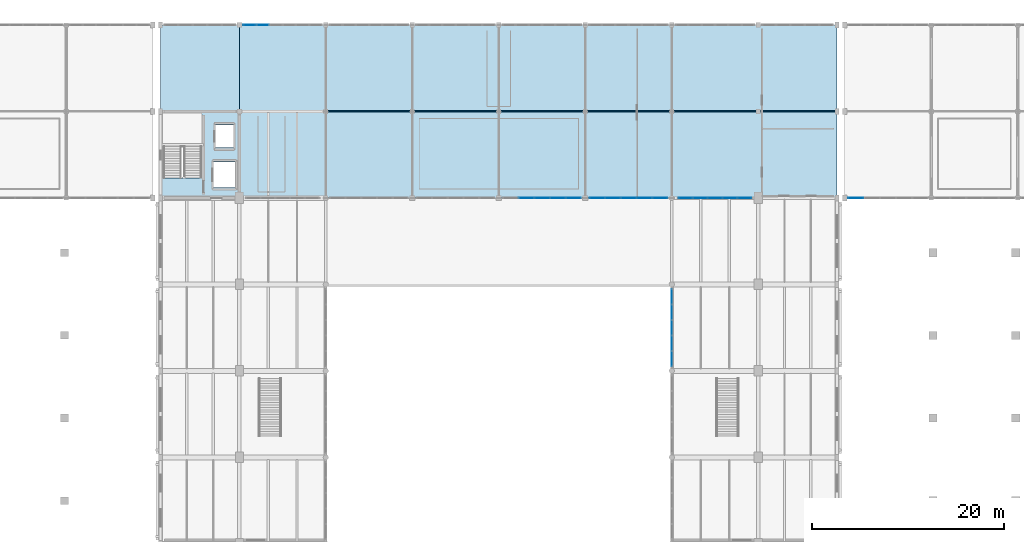
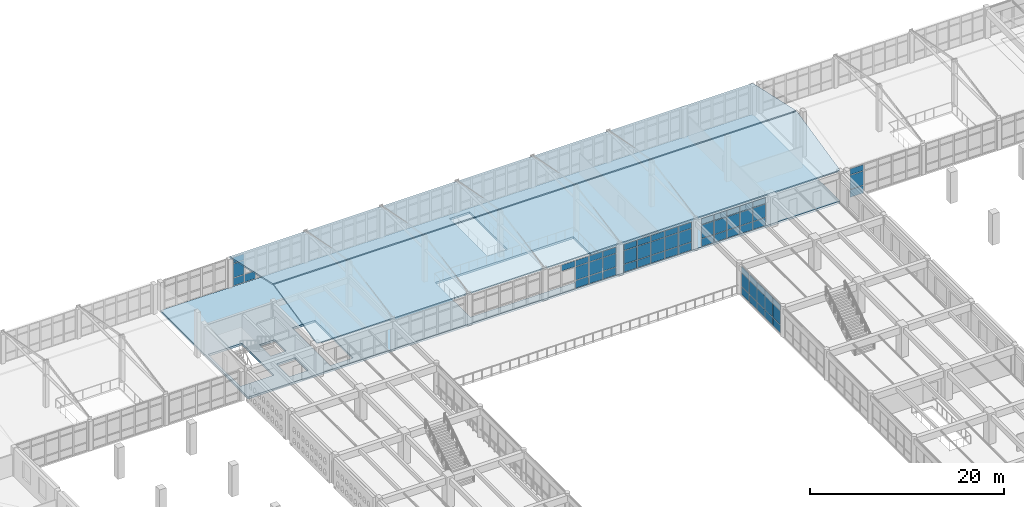
# One storey, part 116 of 156: 62 plates, 3 slabs, 6 elements without a shape of their own.
"""IFC4 building model written with IfcOpenShell, lengths in metres."""

from ifc_helpers import new_model, si_unit, direction, frame, origin, origin_2d, place, context, subcontext, project, spatial, polyline, rectangle, outline, extrude, material, layer, layer_set, type_object, element, aggregate, save


model = new_model("IFC4")

# Units and contexts
model_context = context("Model", 3, precision=1e-05, world=origin(), true_north=direction((0.0, 1.0)))
body_context = subcontext(model_context, "Body", "Model", "MODEL_VIEW")
ifc_project = project(units=[si_unit("LENGTHUNIT", "METRE"), si_unit("AREAUNIT", "SQUARE_METRE"), si_unit("VOLUMEUNIT", "CUBIC_METRE"), si_unit("PLANEANGLEUNIT", "RADIAN"), si_unit("MASSUNIT", "GRAM", prefix="KILO")], contexts=[model_context])

# Site, building, storey
site_placement = place(None, origin())
site = spatial("IfcSite", under=ifc_project, at=site_placement, CompositionType="ELEMENT")
building_placement = place(site_placement, origin())
building = spatial("IfcBuilding", under=site, at=building_placement, Name="Ornek Quay Market", CompositionType="ELEMENT")
storey_placement = place(building_placement, frame((0.0, 0.0, 4.5)))
storey = spatial("IfcBuildingStorey", under=building, at=storey_placement, Name="L01", CompositionType="ELEMENT", Elevation=4.5)

# Curtain wall, plates
ifc_material_1 = material(Name="Anodised bronze aluminium and triple low-e glass", Category="aluminium")
ifc_layer_1 = layer(ifc_material_1, 0.139892578125, Name="Anodised bronze aluminium and triple low-e glass", Category="aluminium")
ifc_layer_set_1 = layer_set([ifc_layer_1], Name="Anodised bronze aluminium and triple low-e glass")
curtain_wall_type_1 = type_object("IfcCurtainWallType", Name="CW-GALLERY-INT", PredefinedType="USERDEFINED", material=ifc_layer_set_1)
curtain_wall_1_placement = place(storey_placement, origin())
curtain_wall_1 = element("IfcCurtainWall", 1, at=curtain_wall_1_placement, inside=storey, type_object=curtain_wall_type_1, Name="Curtain wall CW-108", ObjectType="CURTAIN WALL", PredefinedType="USERDEFINED")
ifc_material_2 = material(Name="Toughened laminated acoustic glass", Category="glass")
ifc_layer_2 = layer(ifc_material_2, 0.01611328125, Name="Toughened laminated acoustic glass", Category="glass")
ifc_layer_set_2 = layer_set([ifc_layer_2], Name="Toughened laminated acoustic glass")
plate_type_1 = type_object("IfcPlateType", Name="PL-CW-INT-16", PredefinedType="CURTAIN_PANEL", material=ifc_layer_set_2)
plate_1_placement = place(storey_placement, frame((108.0, 75.27490234375, 0.06005859375), z_axis=(0.0, 0.0, 1.0), x_axis=(0.0, 1.0, 0.0)))
plate_1 = element("IfcPlate", 2, at=plate_1_placement, type_object=plate_type_1, Name="CW-108 panel 1.1", PredefinedType="CURTAIN_PANEL", context=body_context, shape_type="SweptSolid", body=[
    extrude(rectangle(XDim=1.530029296875, YDim=0.01611328125, at=origin_2d()), origin(), (0.0, 0.0, 1.0), 0.9599609375),
])
plate_2_placement = place(storey_placement, frame((108.0, 75.27490234375, 1.080078125), z_axis=(0.0, 0.0, 1.0), x_axis=(0.0, 1.0, 0.0)))
plate_2 = element("IfcPlate", 3, at=plate_2_placement, type_object=plate_type_1, Name="CW-108 panel 1.2", PredefinedType="CURTAIN_PANEL", context=body_context, shape_type="SweptSolid", body=[
    extrude(rectangle(XDim=1.530029296875, YDim=0.01611328125, at=origin_2d()), origin(), (0.0, 0.0, 1.0), 1.699951171875),
])
plate_3_placement = place(storey_placement, frame((108.0, 75.27490234375, 2.83984375), z_axis=(0.0, 0.0, 1.0), x_axis=(0.0, 1.0, 0.0)))
plate_3 = element("IfcPlate", 4, at=plate_3_placement, type_object=plate_type_1, Name="CW-108 panel 1.3", PredefinedType="CURTAIN_PANEL", context=body_context, shape_type="SweptSolid", body=[
    extrude(rectangle(XDim=1.530029296875, YDim=0.01611328125, at=origin_2d()), origin(), (0.0, 0.0, 1.0), 0.760009765625),
])
plate_4_placement = place(storey_placement, frame((108.0, 76.8798828125, 0.06005859375), z_axis=(0.0, 0.0, 1.0), x_axis=(0.0, 1.0, 0.0)))
plate_4 = element("IfcPlate", 5, at=plate_4_placement, type_object=plate_type_1, Name="CW-108 panel 2.1", PredefinedType="CURTAIN_PANEL", context=body_context, shape_type="SweptSolid", body=[
    extrude(rectangle(XDim=1.56005859375, YDim=0.01611328125, at=origin_2d()), origin(), (0.0, 0.0, 1.0), 0.9599609375),
])
plate_5_placement = place(storey_placement, frame((108.0, 76.8798828125, 1.080078125), z_axis=(0.0, 0.0, 1.0), x_axis=(0.0, 1.0, 0.0)))
plate_5 = element("IfcPlate", 6, at=plate_5_placement, type_object=plate_type_1, Name="CW-108 panel 2.2", PredefinedType="CURTAIN_PANEL", context=body_context, shape_type="SweptSolid", body=[
    extrude(rectangle(XDim=1.56005859375, YDim=0.01611328125, at=origin_2d()), origin(), (0.0, 0.0, 1.0), 1.699951171875),
])
plate_6_placement = place(storey_placement, frame((108.0, 76.8798828125, 2.83984375), z_axis=(0.0, 0.0, 1.0), x_axis=(0.0, 1.0, 0.0)))
plate_6 = element("IfcPlate", 7, at=plate_6_placement, type_object=plate_type_1, Name="CW-108 panel 2.3", PredefinedType="CURTAIN_PANEL", context=body_context, shape_type="SweptSolid", body=[
    extrude(rectangle(XDim=1.56005859375, YDim=0.01611328125, at=origin_2d()), origin(), (0.0, 0.0, 1.0), 0.760009765625),
])
plate_7_placement = place(storey_placement, frame((108.0, 78.5, 0.06005859375), z_axis=(0.0, 0.0, 1.0), x_axis=(0.0, 1.0, 0.0)))
plate_7 = element("IfcPlate", 8, at=plate_7_placement, type_object=plate_type_1, Name="CW-108 panel 3.1", PredefinedType="CURTAIN_PANEL", context=body_context, shape_type="SweptSolid", body=[
    extrude(rectangle(XDim=1.56005859375, YDim=0.01611328125, at=origin_2d()), origin(), (0.0, 0.0, 1.0), 0.9599609375),
])
plate_8_placement = place(storey_placement, frame((108.0, 78.5, 1.080078125), z_axis=(0.0, 0.0, 1.0), x_axis=(0.0, 1.0, 0.0)))
plate_8 = element("IfcPlate", 9, at=plate_8_placement, type_object=plate_type_1, Name="CW-108 panel 3.2", PredefinedType="CURTAIN_PANEL", context=body_context, shape_type="SweptSolid", body=[
    extrude(rectangle(XDim=1.56005859375, YDim=0.01611328125, at=origin_2d()), origin(), (0.0, 0.0, 1.0), 1.699951171875),
])
plate_9_placement = place(storey_placement, frame((108.0, 78.5, 2.83984375), z_axis=(0.0, 0.0, 1.0), x_axis=(0.0, 1.0, 0.0)))
plate_9 = element("IfcPlate", 10, at=plate_9_placement, type_object=plate_type_1, Name="CW-108 panel 3.3", PredefinedType="CURTAIN_PANEL", context=body_context, shape_type="SweptSolid", body=[
    extrude(rectangle(XDim=1.56005859375, YDim=0.01611328125, at=origin_2d()), origin(), (0.0, 0.0, 1.0), 0.760009765625),
])
plate_10_placement = place(storey_placement, frame((108.0, 80.1201171875, 0.06005859375), z_axis=(0.0, 0.0, 1.0), x_axis=(0.0, 1.0, 0.0)))
plate_10 = element("IfcPlate", 11, at=plate_10_placement, type_object=plate_type_1, Name="CW-108 panel 4.1", PredefinedType="CURTAIN_PANEL", context=body_context, shape_type="SweptSolid", body=[
    extrude(rectangle(XDim=1.56005859375, YDim=0.01611328125, at=origin_2d()), origin(), (0.0, 0.0, 1.0), 0.9599609375),
])
plate_11_placement = place(storey_placement, frame((108.0, 80.1201171875, 1.080078125), z_axis=(0.0, 0.0, 1.0), x_axis=(0.0, 1.0, 0.0)))
plate_11 = element("IfcPlate", 12, at=plate_11_placement, type_object=plate_type_1, Name="CW-108 panel 4.2", PredefinedType="CURTAIN_PANEL", context=body_context, shape_type="SweptSolid", body=[
    extrude(rectangle(XDim=1.56005859375, YDim=0.01611328125, at=origin_2d()), origin(), (0.0, 0.0, 1.0), 1.699951171875),
])
plate_12_placement = place(storey_placement, frame((108.0, 80.1201171875, 2.83984375), z_axis=(0.0, 0.0, 1.0), x_axis=(0.0, 1.0, 0.0)))
plate_12 = element("IfcPlate", 13, at=plate_12_placement, type_object=plate_type_1, Name="CW-108 panel 4.3", PredefinedType="CURTAIN_PANEL", context=body_context, shape_type="SweptSolid", body=[
    extrude(rectangle(XDim=1.56005859375, YDim=0.01611328125, at=origin_2d()), origin(), (0.0, 0.0, 1.0), 0.760009765625),
])
plate_13_placement = place(storey_placement, frame((108.0, 81.72509765625, 0.06005859375), z_axis=(0.0, 0.0, 1.0), x_axis=(0.0, 1.0, 0.0)))
plate_13 = element("IfcPlate", 14, at=plate_13_placement, type_object=plate_type_1, Name="CW-108 panel 5.1", PredefinedType="CURTAIN_PANEL", context=body_context, shape_type="SweptSolid", body=[
    extrude(rectangle(XDim=1.530029296875, YDim=0.01611328125, at=origin_2d()), origin(), (0.0, 0.0, 1.0), 0.9599609375),
])
plate_14_placement = place(storey_placement, frame((108.0, 81.72509765625, 1.080078125), z_axis=(0.0, 0.0, 1.0), x_axis=(0.0, 1.0, 0.0)))
plate_14 = element("IfcPlate", 15, at=plate_14_placement, type_object=plate_type_1, Name="CW-108 panel 5.2", PredefinedType="CURTAIN_PANEL", context=body_context, shape_type="SweptSolid", body=[
    extrude(rectangle(XDim=1.530029296875, YDim=0.01611328125, at=origin_2d()), origin(), (0.0, 0.0, 1.0), 1.699951171875),
])
plate_15_placement = place(storey_placement, frame((108.0, 81.72509765625, 2.83984375), z_axis=(0.0, 0.0, 1.0), x_axis=(0.0, 1.0, 0.0)))
plate_15 = element("IfcPlate", 16, at=plate_15_placement, type_object=plate_type_1, Name="CW-108 panel 5.3", PredefinedType="CURTAIN_PANEL", context=body_context, shape_type="SweptSolid", body=[
    extrude(rectangle(XDim=1.530029296875, YDim=0.01611328125, at=origin_2d()), origin(), (0.0, 0.0, 1.0), 0.760009765625),
])
aggregate(curtain_wall_1, [plate_1, plate_2, plate_3, plate_4, plate_5, plate_6, plate_7, plate_8, plate_9, plate_10, plate_11, plate_12, plate_13, plate_14, plate_15])

curtain_wall_2_placement = place(storey_placement, origin())
curtain_wall_2 = element("IfcCurtainWall", 17, at=curtain_wall_2_placement, inside=storey, type_object=curtain_wall_type_1, Name="Curtain wall CW-130", ObjectType="CURTAIN WALL", PredefinedType="USERDEFINED")
plate_16_placement = place(storey_placement, frame((92.860107421875, 92.0, 2.802490234375), z_axis=(0.0, 0.0, 1.0), x_axis=(1.0, 0.0, 0.0)))
plate_16 = element("IfcPlate", 18, at=plate_16_placement, type_object=plate_type_1, Name="CW-130 panel 2.3", PredefinedType="CURTAIN_PANEL", context=body_context, shape_type="SweptSolid", body=[
    extrude(rectangle(XDim=1.574951171875, YDim=0.01611328125, at=origin_2d()), origin(), (0.0, 0.0, 1.0), 0.75244140625),
])
plate_17_placement = place(storey_placement, frame((94.5, 92.0, 0.06494140625), z_axis=(0.0, 0.0, 1.0), x_axis=(1.0, 0.0, 0.0)))
plate_17 = element("IfcPlate", 19, at=plate_17_placement, type_object=plate_type_1, Name="CW-130 panel 3.1", PredefinedType="CURTAIN_PANEL", context=body_context, shape_type="SweptSolid", body=[
    extrude(rectangle(XDim=1.574951171875, YDim=0.01611328125, at=origin_2d()), origin(), (0.0, 0.0, 1.0), 0.952392578125),
])
plate_18_placement = place(storey_placement, frame((94.5, 92.0, 1.08251953125), z_axis=(0.0, 0.0, 1.0), x_axis=(1.0, 0.0, 0.0)))
plate_18 = element("IfcPlate", 20, at=plate_18_placement, type_object=plate_type_1, Name="CW-130 panel 3.2", PredefinedType="CURTAIN_PANEL", context=body_context, shape_type="SweptSolid", body=[
    extrude(rectangle(XDim=1.574951171875, YDim=0.01611328125, at=origin_2d()), origin(), (0.0, 0.0, 1.0), 1.655029296875),
])
plate_19_placement = place(storey_placement, frame((94.5, 92.0, 2.802490234375), z_axis=(0.0, 0.0, 1.0), x_axis=(1.0, 0.0, 0.0)))
plate_19 = element("IfcPlate", 21, at=plate_19_placement, type_object=plate_type_1, Name="CW-130 panel 3.3", PredefinedType="CURTAIN_PANEL", context=body_context, shape_type="SweptSolid", body=[
    extrude(rectangle(XDim=1.574951171875, YDim=0.01611328125, at=origin_2d()), origin(), (0.0, 0.0, 1.0), 0.75244140625),
])
plate_20_placement = place(storey_placement, frame((96.139892578125, 92.0, 0.06494140625), z_axis=(0.0, 0.0, 1.0), x_axis=(1.0, 0.0, 0.0)))
plate_20 = element("IfcPlate", 22, at=plate_20_placement, type_object=plate_type_1, Name="CW-130 panel 4.1", PredefinedType="CURTAIN_PANEL", context=body_context, shape_type="SweptSolid", body=[
    extrude(rectangle(XDim=1.574951171875, YDim=0.01611328125, at=origin_2d()), origin(), (0.0, 0.0, 1.0), 0.952392578125),
])
plate_21_placement = place(storey_placement, frame((96.139892578125, 92.0, 1.08251953125), z_axis=(0.0, 0.0, 1.0), x_axis=(1.0, 0.0, 0.0)))
plate_21 = element("IfcPlate", 23, at=plate_21_placement, type_object=plate_type_1, Name="CW-130 panel 4.2", PredefinedType="CURTAIN_PANEL", context=body_context, shape_type="SweptSolid", body=[
    extrude(rectangle(XDim=1.574951171875, YDim=0.01611328125, at=origin_2d()), origin(), (0.0, 0.0, 1.0), 1.655029296875),
])
plate_22_placement = place(storey_placement, frame((96.139892578125, 92.0, 2.802490234375), z_axis=(0.0, 0.0, 1.0), x_axis=(1.0, 0.0, 0.0)))
plate_22 = element("IfcPlate", 24, at=plate_22_placement, type_object=plate_type_1, Name="CW-130 panel 4.3", PredefinedType="CURTAIN_PANEL", context=body_context, shape_type="SweptSolid", body=[
    extrude(rectangle(XDim=1.574951171875, YDim=0.01611328125, at=origin_2d()), origin(), (0.0, 0.0, 1.0), 0.75244140625),
])
plate_23_placement = place(storey_placement, frame((97.763671875, 92.0, 0.06494140625), z_axis=(0.0, 0.0, 1.0), x_axis=(1.0, 0.0, 0.0)))
plate_23 = element("IfcPlate", 25, at=plate_23_placement, type_object=plate_type_1, Name="CW-130 panel 5.1", PredefinedType="CURTAIN_PANEL", context=body_context, shape_type="SweptSolid", body=[
    extrude(rectangle(XDim=1.54248046875, YDim=0.01611328125, at=origin_2d()), origin(), (0.0, 0.0, 1.0), 0.952392578125),
])
plate_24_placement = place(storey_placement, frame((97.763671875, 92.0, 1.08251953125), z_axis=(0.0, 0.0, 1.0), x_axis=(1.0, 0.0, 0.0)))
plate_24 = element("IfcPlate", 26, at=plate_24_placement, type_object=plate_type_1, Name="CW-130 panel 5.2", PredefinedType="CURTAIN_PANEL", context=body_context, shape_type="SweptSolid", body=[
    extrude(rectangle(XDim=1.54248046875, YDim=0.01611328125, at=origin_2d()), origin(), (0.0, 0.0, 1.0), 1.655029296875),
])
plate_25_placement = place(storey_placement, frame((97.763671875, 92.0, 2.802490234375), z_axis=(0.0, 0.0, 1.0), x_axis=(1.0, 0.0, 0.0)))
plate_25 = element("IfcPlate", 27, at=plate_25_placement, type_object=plate_type_1, Name="CW-130 panel 5.3", PredefinedType="CURTAIN_PANEL", context=body_context, shape_type="SweptSolid", body=[
    extrude(rectangle(XDim=1.54248046875, YDim=0.01611328125, at=origin_2d()), origin(), (0.0, 0.0, 1.0), 0.75244140625),
])
aggregate(curtain_wall_2, [plate_16, plate_17, plate_18, plate_19, plate_20, plate_21, plate_22, plate_23, plate_24, plate_25])

curtain_wall_3_placement = place(storey_placement, origin())
curtain_wall_3 = element("IfcCurtainWall", 28, at=curtain_wall_3_placement, inside=storey, type_object=curtain_wall_type_1, Name="Curtain wall CW-131", ObjectType="CURTAIN WALL", PredefinedType="USERDEFINED")
plate_26_placement = place(storey_placement, frame((100.236328125, 92.0, 0.06494140625), z_axis=(0.0, 0.0, 1.0), x_axis=(1.0, 0.0, 0.0)))
plate_26 = element("IfcPlate", 29, at=plate_26_placement, type_object=plate_type_1, Name="CW-131 panel 1.1", PredefinedType="CURTAIN_PANEL", context=body_context, shape_type="SweptSolid", body=[
    extrude(rectangle(XDim=1.54248046875, YDim=0.01611328125, at=origin_2d()), origin(), (0.0, 0.0, 1.0), 0.952392578125),
])
plate_27_placement = place(storey_placement, frame((100.236328125, 92.0, 1.08251953125), z_axis=(0.0, 0.0, 1.0), x_axis=(1.0, 0.0, 0.0)))
plate_27 = element("IfcPlate", 30, at=plate_27_placement, type_object=plate_type_1, Name="CW-131 panel 1.2", PredefinedType="CURTAIN_PANEL", context=body_context, shape_type="SweptSolid", body=[
    extrude(rectangle(XDim=1.54248046875, YDim=0.01611328125, at=origin_2d()), origin(), (0.0, 0.0, 1.0), 1.655029296875),
])
plate_28_placement = place(storey_placement, frame((100.236328125, 92.0, 2.802490234375), z_axis=(0.0, 0.0, 1.0), x_axis=(1.0, 0.0, 0.0)))
plate_28 = element("IfcPlate", 31, at=plate_28_placement, type_object=plate_type_1, Name="CW-131 panel 1.3", PredefinedType="CURTAIN_PANEL", context=body_context, shape_type="SweptSolid", body=[
    extrude(rectangle(XDim=1.54248046875, YDim=0.01611328125, at=origin_2d()), origin(), (0.0, 0.0, 1.0), 0.75244140625),
])
plate_29_placement = place(storey_placement, frame((101.860107421875, 92.0, 0.06494140625), z_axis=(0.0, 0.0, 1.0), x_axis=(1.0, 0.0, 0.0)))
plate_29 = element("IfcPlate", 32, at=plate_29_placement, type_object=plate_type_1, Name="CW-131 panel 2.1", PredefinedType="CURTAIN_PANEL", context=body_context, shape_type="SweptSolid", body=[
    extrude(rectangle(XDim=1.574951171875, YDim=0.01611328125, at=origin_2d()), origin(), (0.0, 0.0, 1.0), 0.952392578125),
])
plate_30_placement = place(storey_placement, frame((101.860107421875, 92.0, 1.08251953125), z_axis=(0.0, 0.0, 1.0), x_axis=(1.0, 0.0, 0.0)))
plate_30 = element("IfcPlate", 33, at=plate_30_placement, type_object=plate_type_1, Name="CW-131 panel 2.2", PredefinedType="CURTAIN_PANEL", context=body_context, shape_type="SweptSolid", body=[
    extrude(rectangle(XDim=1.574951171875, YDim=0.01611328125, at=origin_2d()), origin(), (0.0, 0.0, 1.0), 1.655029296875),
])
plate_31_placement = place(storey_placement, frame((101.860107421875, 92.0, 2.802490234375), z_axis=(0.0, 0.0, 1.0), x_axis=(1.0, 0.0, 0.0)))
plate_31 = element("IfcPlate", 34, at=plate_31_placement, type_object=plate_type_1, Name="CW-131 panel 2.3", PredefinedType="CURTAIN_PANEL", context=body_context, shape_type="SweptSolid", body=[
    extrude(rectangle(XDim=1.574951171875, YDim=0.01611328125, at=origin_2d()), origin(), (0.0, 0.0, 1.0), 0.75244140625),
])
plate_32_placement = place(storey_placement, frame((103.5, 92.0, 0.06494140625), z_axis=(0.0, 0.0, 1.0), x_axis=(1.0, 0.0, 0.0)))
plate_32 = element("IfcPlate", 35, at=plate_32_placement, type_object=plate_type_1, Name="CW-131 panel 3.1", PredefinedType="CURTAIN_PANEL", context=body_context, shape_type="SweptSolid", body=[
    extrude(rectangle(XDim=1.574951171875, YDim=0.01611328125, at=origin_2d()), origin(), (0.0, 0.0, 1.0), 0.952392578125),
])
plate_33_placement = place(storey_placement, frame((103.5, 92.0, 1.08251953125), z_axis=(0.0, 0.0, 1.0), x_axis=(1.0, 0.0, 0.0)))
plate_33 = element("IfcPlate", 36, at=plate_33_placement, type_object=plate_type_1, Name="CW-131 panel 3.2", PredefinedType="CURTAIN_PANEL", context=body_context, shape_type="SweptSolid", body=[
    extrude(rectangle(XDim=1.574951171875, YDim=0.01611328125, at=origin_2d()), origin(), (0.0, 0.0, 1.0), 1.655029296875),
])
plate_34_placement = place(storey_placement, frame((103.5, 92.0, 2.802490234375), z_axis=(0.0, 0.0, 1.0), x_axis=(1.0, 0.0, 0.0)))
plate_34 = element("IfcPlate", 37, at=plate_34_placement, type_object=plate_type_1, Name="CW-131 panel 3.3", PredefinedType="CURTAIN_PANEL", context=body_context, shape_type="SweptSolid", body=[
    extrude(rectangle(XDim=1.574951171875, YDim=0.01611328125, at=origin_2d()), origin(), (0.0, 0.0, 1.0), 0.75244140625),
])
plate_35_placement = place(storey_placement, frame((105.139892578125, 92.0, 0.06494140625), z_axis=(0.0, 0.0, 1.0), x_axis=(1.0, 0.0, 0.0)))
plate_35 = element("IfcPlate", 38, at=plate_35_placement, type_object=plate_type_1, Name="CW-131 panel 4.1", PredefinedType="CURTAIN_PANEL", context=body_context, shape_type="SweptSolid", body=[
    extrude(rectangle(XDim=1.574951171875, YDim=0.01611328125, at=origin_2d()), origin(), (0.0, 0.0, 1.0), 0.952392578125),
])
plate_36_placement = place(storey_placement, frame((105.139892578125, 92.0, 1.08251953125), z_axis=(0.0, 0.0, 1.0), x_axis=(1.0, 0.0, 0.0)))
plate_36 = element("IfcPlate", 39, at=plate_36_placement, type_object=plate_type_1, Name="CW-131 panel 4.2", PredefinedType="CURTAIN_PANEL", context=body_context, shape_type="SweptSolid", body=[
    extrude(rectangle(XDim=1.574951171875, YDim=0.01611328125, at=origin_2d()), origin(), (0.0, 0.0, 1.0), 1.655029296875),
])
plate_37_placement = place(storey_placement, frame((105.139892578125, 92.0, 2.802490234375), z_axis=(0.0, 0.0, 1.0), x_axis=(1.0, 0.0, 0.0)))
plate_37 = element("IfcPlate", 40, at=plate_37_placement, type_object=plate_type_1, Name="CW-131 panel 4.3", PredefinedType="CURTAIN_PANEL", context=body_context, shape_type="SweptSolid", body=[
    extrude(rectangle(XDim=1.574951171875, YDim=0.01611328125, at=origin_2d()), origin(), (0.0, 0.0, 1.0), 0.75244140625),
])
plate_38_placement = place(storey_placement, frame((106.763671875, 92.0, 0.06494140625), z_axis=(0.0, 0.0, 1.0), x_axis=(1.0, 0.0, 0.0)))
plate_38 = element("IfcPlate", 41, at=plate_38_placement, type_object=plate_type_1, Name="CW-131 panel 5.1", PredefinedType="CURTAIN_PANEL", context=body_context, shape_type="SweptSolid", body=[
    extrude(rectangle(XDim=1.54248046875, YDim=0.01611328125, at=origin_2d()), origin(), (0.0, 0.0, 1.0), 0.952392578125),
])
plate_39_placement = place(storey_placement, frame((106.763671875, 92.0, 1.08251953125), z_axis=(0.0, 0.0, 1.0), x_axis=(1.0, 0.0, 0.0)))
plate_39 = element("IfcPlate", 42, at=plate_39_placement, type_object=plate_type_1, Name="CW-131 panel 5.2", PredefinedType="CURTAIN_PANEL", context=body_context, shape_type="SweptSolid", body=[
    extrude(rectangle(XDim=1.54248046875, YDim=0.01611328125, at=origin_2d()), origin(), (0.0, 0.0, 1.0), 1.655029296875),
])
plate_40_placement = place(storey_placement, frame((106.763671875, 92.0, 2.802490234375), z_axis=(0.0, 0.0, 1.0), x_axis=(1.0, 0.0, 0.0)))
plate_40 = element("IfcPlate", 43, at=plate_40_placement, type_object=plate_type_1, Name="CW-131 panel 5.3", PredefinedType="CURTAIN_PANEL", context=body_context, shape_type="SweptSolid", body=[
    extrude(rectangle(XDim=1.54248046875, YDim=0.01611328125, at=origin_2d()), origin(), (0.0, 0.0, 1.0), 0.75244140625),
])
aggregate(curtain_wall_3, [plate_26, plate_27, plate_28, plate_29, plate_30, plate_31, plate_32, plate_33, plate_34, plate_35, plate_36, plate_37, plate_38, plate_39, plate_40])

curtain_wall_4_placement = place(storey_placement, origin())
curtain_wall_4 = element("IfcCurtainWall", 44, at=curtain_wall_4_placement, inside=storey, type_object=curtain_wall_type_1, Name="Curtain wall CW-132", ObjectType="CURTAIN WALL", PredefinedType="USERDEFINED")
plate_41_placement = place(storey_placement, frame((109.436279296875, 92.0, 0.06494140625), z_axis=(0.0, 0.0, 1.0), x_axis=(1.0, 0.0, 0.0)))
plate_41 = element("IfcPlate", 45, at=plate_41_placement, type_object=plate_type_1, Name="CW-132 panel 1.1", PredefinedType="CURTAIN_PANEL", context=body_context, shape_type="SweptSolid", body=[
    extrude(rectangle(XDim=1.4423828125, YDim=0.01611328125, at=origin_2d()), origin(), (0.0, 0.0, 1.0), 0.952392578125),
])
plate_42_placement = place(storey_placement, frame((109.436279296875, 92.0, 1.08251953125), z_axis=(0.0, 0.0, 1.0), x_axis=(1.0, 0.0, 0.0)))
plate_42 = element("IfcPlate", 46, at=plate_42_placement, type_object=plate_type_1, Name="CW-132 panel 1.2", PredefinedType="CURTAIN_PANEL", context=body_context, shape_type="SweptSolid", body=[
    extrude(rectangle(XDim=1.4423828125, YDim=0.01611328125, at=origin_2d()), origin(), (0.0, 0.0, 1.0), 1.655029296875),
])
plate_43_placement = place(storey_placement, frame((109.436279296875, 92.0, 2.802490234375), z_axis=(0.0, 0.0, 1.0), x_axis=(1.0, 0.0, 0.0)))
plate_43 = element("IfcPlate", 47, at=plate_43_placement, type_object=plate_type_1, Name="CW-132 panel 1.3", PredefinedType="CURTAIN_PANEL", context=body_context, shape_type="SweptSolid", body=[
    extrude(rectangle(XDim=1.4423828125, YDim=0.01611328125, at=origin_2d()), origin(), (0.0, 0.0, 1.0), 0.75244140625),
])
plate_44_placement = place(storey_placement, frame((110.9599609375, 92.0, 0.06494140625), z_axis=(0.0, 0.0, 1.0), x_axis=(1.0, 0.0, 0.0)))
plate_44 = element("IfcPlate", 48, at=plate_44_placement, type_object=plate_type_1, Name="CW-132 panel 2.1", PredefinedType="CURTAIN_PANEL", context=body_context, shape_type="SweptSolid", body=[
    extrude(rectangle(XDim=1.47509765625, YDim=0.01611328125, at=origin_2d()), origin(), (0.0, 0.0, 1.0), 0.952392578125),
])
plate_45_placement = place(storey_placement, frame((110.9599609375, 92.0, 1.08251953125), z_axis=(0.0, 0.0, 1.0), x_axis=(1.0, 0.0, 0.0)))
plate_45 = element("IfcPlate", 49, at=plate_45_placement, type_object=plate_type_1, Name="CW-132 panel 2.2", PredefinedType="CURTAIN_PANEL", context=body_context, shape_type="SweptSolid", body=[
    extrude(rectangle(XDim=1.47509765625, YDim=0.01611328125, at=origin_2d()), origin(), (0.0, 0.0, 1.0), 1.655029296875),
])
plate_46_placement = place(storey_placement, frame((110.9599609375, 92.0, 2.802490234375), z_axis=(0.0, 0.0, 1.0), x_axis=(1.0, 0.0, 0.0)))
plate_46 = element("IfcPlate", 50, at=plate_46_placement, type_object=plate_type_1, Name="CW-132 panel 2.3", PredefinedType="CURTAIN_PANEL", context=body_context, shape_type="SweptSolid", body=[
    extrude(rectangle(XDim=1.47509765625, YDim=0.01611328125, at=origin_2d()), origin(), (0.0, 0.0, 1.0), 0.75244140625),
])
plate_47_placement = place(storey_placement, frame((112.5, 92.0, 0.06494140625), z_axis=(0.0, 0.0, 1.0), x_axis=(1.0, 0.0, 0.0)))
plate_47 = element("IfcPlate", 51, at=plate_47_placement, type_object=plate_type_1, Name="CW-132 panel 3.1", PredefinedType="CURTAIN_PANEL", context=body_context, shape_type="SweptSolid", body=[
    extrude(rectangle(XDim=1.47509765625, YDim=0.01611328125, at=origin_2d()), origin(), (0.0, 0.0, 1.0), 0.952392578125),
])
plate_48_placement = place(storey_placement, frame((112.5, 92.0, 1.08251953125), z_axis=(0.0, 0.0, 1.0), x_axis=(1.0, 0.0, 0.0)))
plate_48 = element("IfcPlate", 52, at=plate_48_placement, type_object=plate_type_1, Name="CW-132 panel 3.2", PredefinedType="CURTAIN_PANEL", context=body_context, shape_type="SweptSolid", body=[
    extrude(rectangle(XDim=1.47509765625, YDim=0.01611328125, at=origin_2d()), origin(), (0.0, 0.0, 1.0), 1.655029296875),
])
plate_49_placement = place(storey_placement, frame((112.5, 92.0, 2.802490234375), z_axis=(0.0, 0.0, 1.0), x_axis=(1.0, 0.0, 0.0)))
plate_49 = element("IfcPlate", 53, at=plate_49_placement, type_object=plate_type_1, Name="CW-132 panel 3.3", PredefinedType="CURTAIN_PANEL", context=body_context, shape_type="SweptSolid", body=[
    extrude(rectangle(XDim=1.47509765625, YDim=0.01611328125, at=origin_2d()), origin(), (0.0, 0.0, 1.0), 0.75244140625),
])
plate_50_placement = place(storey_placement, frame((114.0400390625, 92.0, 0.06494140625), z_axis=(0.0, 0.0, 1.0), x_axis=(1.0, 0.0, 0.0)))
plate_50 = element("IfcPlate", 54, at=plate_50_placement, type_object=plate_type_1, Name="CW-132 panel 4.1", PredefinedType="CURTAIN_PANEL", context=body_context, shape_type="SweptSolid", body=[
    extrude(rectangle(XDim=1.47509765625, YDim=0.01611328125, at=origin_2d()), origin(), (0.0, 0.0, 1.0), 0.952392578125),
])
plate_51_placement = place(storey_placement, frame((114.0400390625, 92.0, 1.08251953125), z_axis=(0.0, 0.0, 1.0), x_axis=(1.0, 0.0, 0.0)))
plate_51 = element("IfcPlate", 55, at=plate_51_placement, type_object=plate_type_1, Name="CW-132 panel 4.2", PredefinedType="CURTAIN_PANEL", context=body_context, shape_type="SweptSolid", body=[
    extrude(rectangle(XDim=1.47509765625, YDim=0.01611328125, at=origin_2d()), origin(), (0.0, 0.0, 1.0), 1.655029296875),
])
plate_52_placement = place(storey_placement, frame((114.0400390625, 92.0, 2.802490234375), z_axis=(0.0, 0.0, 1.0), x_axis=(1.0, 0.0, 0.0)))
plate_52 = element("IfcPlate", 56, at=plate_52_placement, type_object=plate_type_1, Name="CW-132 panel 4.3", PredefinedType="CURTAIN_PANEL", context=body_context, shape_type="SweptSolid", body=[
    extrude(rectangle(XDim=1.47509765625, YDim=0.01611328125, at=origin_2d()), origin(), (0.0, 0.0, 1.0), 0.75244140625),
])
plate_53_placement = place(storey_placement, frame((115.563720703125, 92.0, 0.06494140625), z_axis=(0.0, 0.0, 1.0), x_axis=(1.0, 0.0, 0.0)))
plate_53 = element("IfcPlate", 57, at=plate_53_placement, type_object=plate_type_1, Name="CW-132 panel 5.1", PredefinedType="CURTAIN_PANEL", context=body_context, shape_type="SweptSolid", body=[
    extrude(rectangle(XDim=1.4423828125, YDim=0.01611328125, at=origin_2d()), origin(), (0.0, 0.0, 1.0), 0.952392578125),
])
plate_54_placement = place(storey_placement, frame((115.563720703125, 92.0, 1.08251953125), z_axis=(0.0, 0.0, 1.0), x_axis=(1.0, 0.0, 0.0)))
plate_54 = element("IfcPlate", 58, at=plate_54_placement, type_object=plate_type_1, Name="CW-132 panel 5.2", PredefinedType="CURTAIN_PANEL", context=body_context, shape_type="SweptSolid", body=[
    extrude(rectangle(XDim=1.4423828125, YDim=0.01611328125, at=origin_2d()), origin(), (0.0, 0.0, 1.0), 1.655029296875),
])
plate_55_placement = place(storey_placement, frame((115.563720703125, 92.0, 2.802490234375), z_axis=(0.0, 0.0, 1.0), x_axis=(1.0, 0.0, 0.0)))
plate_55 = element("IfcPlate", 59, at=plate_55_placement, type_object=plate_type_1, Name="CW-132 panel 5.3", PredefinedType="CURTAIN_PANEL", context=body_context, shape_type="SweptSolid", body=[
    extrude(rectangle(XDim=1.4423828125, YDim=0.01611328125, at=origin_2d()), origin(), (0.0, 0.0, 1.0), 0.75244140625),
])
aggregate(curtain_wall_4, [plate_41, plate_42, plate_43, plate_44, plate_45, plate_46, plate_47, plate_48, plate_49, plate_50, plate_51, plate_52, plate_53, plate_54, plate_55])

ifc_layer_3 = layer(ifc_material_1, 0.199951171875, Name="Anodised bronze aluminium and triple low-e glass", Category="aluminium")
ifc_layer_set_3 = layer_set([ifc_layer_3], Name="Anodised bronze aluminium and triple low-e glass")
curtain_wall_type_2 = type_object("IfcCurtainWallType", Name="CW-CONC-MOD1800", PredefinedType="USERDEFINED", material=ifc_layer_set_3)
curtain_wall_5_placement = place(storey_placement, origin())
curtain_wall_5 = element("IfcCurtainWall", 60, at=curtain_wall_5_placement, inside=storey, type_object=curtain_wall_type_2, Name="Curtain wall CW-034", ObjectType="CURTAIN WALL", PredefinedType="USERDEFINED")
ifc_material_3 = material(Name="Triple insulated low-e glass", Category="glass")
ifc_layer_4 = layer(ifc_material_3, 0.0419921875, Name="Triple insulated low-e glass", Category="glass")
ifc_layer_set_4 = layer_set([ifc_layer_4], Name="Triple insulated low-e glass")
plate_type_2 = type_object("IfcPlateType", Name="PL-CW-TRIPLE-42", PredefinedType="CURTAIN_PANEL", material=ifc_layer_set_4)
plate_56_placement = place(storey_placement, frame((127.15625, 92.0, 0.06494140625), z_axis=(0.0, 0.0, 1.0), x_axis=(1.0, 0.0, 0.0)))
plate_56 = element("IfcPlate", 61, at=plate_56_placement, type_object=plate_type_2, Name="CW-034 panel 1.1", PredefinedType="CURTAIN_PANEL", context=body_context, shape_type="SweptSolid", body=[
    extrude(rectangle(XDim=1.58251953125, YDim=0.0419921875, at=origin_2d()), origin(), (0.0, 0.0, 1.0), 0.952392578125),
])
plate_57_placement = place(storey_placement, frame((127.15625, 92.0, 1.08251953125), z_axis=(0.0, 0.0, 1.0), x_axis=(1.0, 0.0, 0.0)))
plate_57 = element("IfcPlate", 62, at=plate_57_placement, type_object=plate_type_2, Name="CW-034 panel 1.2", PredefinedType="CURTAIN_PANEL", context=body_context, shape_type="SweptSolid", body=[
    extrude(rectangle(XDim=1.58251953125, YDim=0.0419921875, at=origin_2d()), origin(), (0.0, 0.0, 1.0), 1.7451171875),
])
plate_58_placement = place(storey_placement, frame((127.15625, 92.0, 2.892578125), z_axis=(0.0, 0.0, 1.0), x_axis=(1.0, 0.0, 0.0)))
plate_58 = element("IfcPlate", 63, at=plate_58_placement, type_object=plate_type_2, Name="CW-034 panel 1.3", PredefinedType="CURTAIN_PANEL", context=body_context, shape_type="SweptSolid", body=[
    extrude(rectangle(XDim=1.58251953125, YDim=0.0419921875, at=origin_2d()), origin(), (0.0, 0.0, 1.0), 0.75244140625),
])
aggregate(curtain_wall_5, [plate_56, plate_57, plate_58])

ifc_layer_5 = layer(ifc_material_1, 0.219970703125, Name="Anodised bronze aluminium and triple low-e glass", Category="aluminium")
ifc_layer_set_5 = layer_set([ifc_layer_5], Name="Anodised bronze aluminium and triple low-e glass")
curtain_wall_type_3 = type_object("IfcCurtainWallType", Name="CW-PORCH-MOD1500", PredefinedType="USERDEFINED", material=ifc_layer_set_5)
curtain_wall_6_placement = place(storey_placement, origin())
curtain_wall_6 = element("IfcCurtainWall", 64, at=curtain_wall_6_placement, inside=storey, type_object=curtain_wall_type_3, Name="Curtain wall CW-050", ObjectType="CURTAIN WALL", PredefinedType="USERDEFINED")
plate_59_placement = place(storey_placement, frame((64.060302734375, 110.0, 0.06982421875), z_axis=(0.0, 0.0, 1.0), x_axis=(1.0, 0.0, 0.0)))
plate_59 = element("IfcPlate", 65, at=plate_59_placement, type_object=plate_type_2, Name="CW-050 panel 1.1", PredefinedType="CURTAIN_PANEL", context=body_context, shape_type="SweptSolid", body=[
    extrude(rectangle(XDim=1.270751953125, YDim=0.0419921875, at=origin_2d()), origin(), (0.0, 0.0, 1.0), 0.945068359375),
])
plate_60_placement = place(storey_placement, frame((64.060302734375, 110.0, 1.0849609375), z_axis=(0.0, 0.0, 1.0), x_axis=(1.0, 0.0, 0.0)))
plate_60 = element("IfcPlate", 66, at=plate_60_placement, type_object=plate_type_2, Name="CW-050 panel 1.2", PredefinedType="CURTAIN_PANEL", context=body_context, shape_type="SweptSolid", body=[
    extrude(rectangle(XDim=1.270751953125, YDim=0.0419921875, at=origin_2d()), origin(), (0.0, 0.0, 1.0), 1.739990234375),
])
plate_61_placement = place(storey_placement, frame((64.060302734375, 110.0, 2.89501953125), z_axis=(0.0, 0.0, 1.0), x_axis=(1.0, 0.0, 0.0)))
plate_61 = element("IfcPlate", 67, at=plate_61_placement, type_object=plate_type_2, Name="CW-050 panel 1.3", PredefinedType="CURTAIN_PANEL", context=body_context, shape_type="SweptSolid", body=[
    extrude(rectangle(XDim=1.270751953125, YDim=0.0419921875, at=origin_2d()), origin(), (0.0, 0.0, 1.0), 0.7451171875),
])
plate_62_placement = place(storey_placement, frame((65.425048828125, 110.0, 0.06982421875), z_axis=(0.0, 0.0, 1.0), x_axis=(1.0, 0.0, 0.0)))
plate_62 = element("IfcPlate", 68, at=plate_62_placement, type_object=plate_type_2, Name="CW-050 panel 2.1", PredefinedType="CURTAIN_PANEL", context=body_context, shape_type="SweptSolid", body=[
    extrude(rectangle(XDim=1.308349609375, YDim=0.0419921875, at=origin_2d()), origin(), (0.0, 0.0, 1.0), 0.945068359375),
])
aggregate(curtain_wall_6, [plate_59, plate_60, plate_61, plate_62])

# Slabs
ifc_material_4 = material(Name="Concrete C40/50", Category="concrete")
ifc_layer_6 = layer(ifc_material_4, 0.260009765625, Name="Concrete C40/50", Category="concrete")
ifc_layer_set_6 = layer_set([ifc_layer_6], Name="Concrete C40/50")
slab_type_1 = type_object("IfcSlabType", Name="SL-FLR-GAL1-260", PredefinedType="FLOOR", material=ifc_layer_set_6)
slab_placement = place(storey_placement, frame((0.0, 0.0, -0.260009765625)))
element("IfcSlab", 69, at=slab_placement, inside=storey, type_object=slab_type_1, Name="Slab S-033 (L01)", PredefinedType="FLOOR", context=body_context, shape_type="SweptSolid", body=[
    extrude(outline(polyline([(54.800048828125, 92.0), (125.199951171875, 92.0), (125.199951171875, 110.0), (54.800048828125, 110.0), (54.800048828125, 92.0)]), holes=[polyline([(62.570068359375, 93.080078125), (60.330078125, 93.080078125), (60.330078125, 95.719970703125), (62.570068359375, 95.719970703125), (62.570068359375, 93.080078125)]), polyline([(65.0, 92.699951171875), (65.0, 100.5), (67.699951171875, 100.5), (67.699951171875, 92.699951171875), (65.0, 92.699951171875)]), polyline([(81.800048828125, 93.0), (81.800048828125, 100.199951171875), (98.199951171875, 100.199951171875), (98.199951171875, 93.0), (81.800048828125, 93.0)]), polyline([(59.10009765625, 94.10009765625), (55.10009765625, 94.10009765625), (55.10009765625, 100.699951171875), (59.10009765625, 100.699951171875), (59.10009765625, 94.10009765625)]), polyline([(60.530029296875, 97.22998046875), (60.530029296875, 99.570068359375), (62.3701171875, 99.570068359375), (62.3701171875, 97.22998046875), (60.530029296875, 97.22998046875)]), polyline([(88.800048828125, 101.60009765625), (88.800048828125, 109.39990234375), (91.199951171875, 109.39990234375), (91.199951171875, 101.60009765625), (88.800048828125, 101.60009765625)])]), origin(), (0.0, 0.0, 1.0), 0.260009765625),
])
ifc_material_5 = material(Name="Laminated insulated safety glass", Category="glass")
ifc_layer_7 = layer(ifc_material_5, 0.18994140625, Name="Laminated insulated safety glass", Category="glass")
ifc_layer_set_7 = layer_set([ifc_layer_7], Name="Laminated insulated safety glass")
slab_type_2 = type_object("IfcSlabType", Name="SL-RF-CONC-190", PredefinedType="ROOF", material=ifc_layer_set_7)
for number, where, z_axis, x_axis, name in (
    (70, (63.0, 92.0, 3.89990234375), (0.0, -0.216698460014, 0.976238586324), (1.0, 0.0, 0.0), "Sloped roof slab S-047 (L01)"),
    (71, (63.0, 101.080078125, 5.8798828125), (0.0, 0.216698460014, 0.976238586324), (1.0, 0.0, 0.0), "Sloped roof slab S-048 (L01)"),
):
    element("IfcSlab", number, at=place(storey_placement, frame(where, z_axis=z_axis, x_axis=x_axis)), inside=storey, type_object=slab_type_2, Name=name, PredefinedType="ROOF", context=body_context, shape_type="SweptSolid", body=[
        extrude(outline(polyline([(0.0, 0.0), (62.199951171875, 0.0), (62.199951171875, 9.13703063980498), (0.0, 9.13703063980498), (0.0, 0.0)])), origin(), (0.0, 0.0, -1.0), 0.18994140625),
    ])

save(model, "model.ifc")
